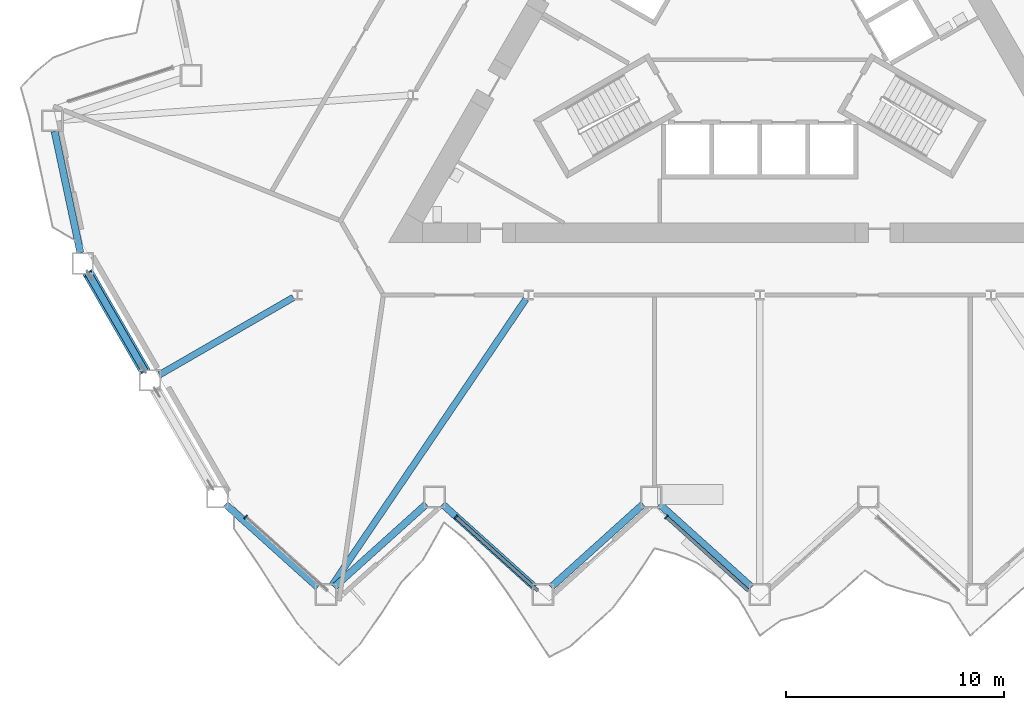
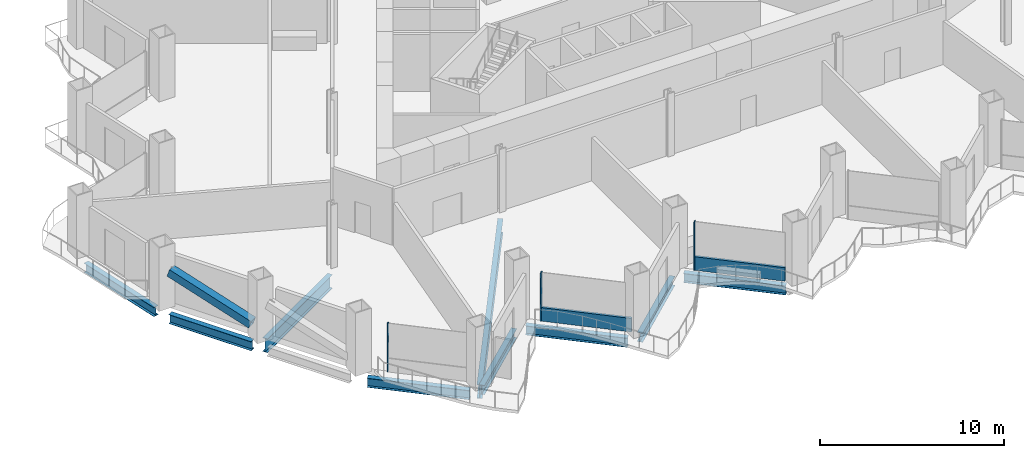
# One storey, part 2 of 20: 9 beams, 6 members, 3 elements without a shape of their own.
"""IFC4 building model written with IfcOpenShell, lengths in metres."""

import ifcopenshell
import ifcopenshell.guid

model = None  # the IFC model being written
_history = None  # IfcOwnerHistory: only IFC2X3 demands one
_inside = {}  # id of a spatial element -> (the spatial element, [elements in it])
_under = {}  # id of a project, library or spatial element -> (it, [spatial elements below it])
_declared = {}  # id of a project -> (the project, [libraries it declares])
_typed = {}  # id of a type object -> (the type object, [elements of that type])
_made_of = {}  # id of a material, layer set ... -> (it, [elements and type objects made of it])


def new_model(schema):
    """Start an empty IFC model of exactly this schema.

    Asked for "IFC4X3", IfcOpenShell would pick the latest addendum, in which some entities
    have other attributes; the version numbers below select the first issue.
    IFC2X3 requires an IfcOwnerHistory on every rooted entity: one is made here for all.
    """
    global model, _history
    if schema == "IFC4X3":
        model = ifcopenshell.file(schema_version=(4, 3, 0, 0))
    else:
        model = ifcopenshell.file(schema=schema)
    _inside.clear()
    _under.clear()
    _declared.clear()
    _typed.clear()
    _made_of.clear()
    _history = None
    if model.schema == "IFC2X3":
        org = make("IfcOrganization", Name="unknown")
        user = make(
            "IfcPersonAndOrganization",
            ThePerson=make("IfcPerson", FamilyName="unknown"),
            TheOrganization=org,
        )
        app = make(
            "IfcApplication",
            ApplicationDeveloper=org,
            Version="unknown",
            ApplicationFullName="unknown",
            ApplicationIdentifier="unknown",
        )
        _history = make(
            "IfcOwnerHistory",
            OwningUser=user,
            OwningApplication=app,
            ChangeAction="ADDED",
            CreationDate=0,
        )
    return model


def make(cls, **values):
    """One entity of the class cls with the attributes given. An attribute that is None is left unset."""
    return model.create_entity(
        cls, **{name: value for name, value in values.items() if value is not None}
    )


def rooted(cls, **values):
    """An entity with a GlobalId (a new one), such as an element, a storey or a relation."""
    return make(cls, GlobalId=ifcopenshell.guid.new(), OwnerHistory=_history, **values)


def si_unit(unit_type, name, prefix=None):
    """IfcSIUnit, for example si_unit("LENGTHUNIT", "METRE", prefix="MILLI")."""
    return make("IfcSIUnit", UnitType=unit_type, Prefix=prefix, Name=name)


def assignment(units):
    """IfcUnitAssignment: the units of a project."""
    return None if units is None else make("IfcUnitAssignment", Units=units)


def point(xyz):
    """IfcCartesianPoint."""
    return None if xyz is None else make("IfcCartesianPoint", Coordinates=xyz)


def direction(xyz):
    """IfcDirection."""
    return None if xyz is None else make("IfcDirection", DirectionRatios=xyz)


def frame(location, z_axis=None, x_axis=None):
    """IfcAxis2Placement3D, a coordinate frame: its origin and axes. An axis left out is left unset."""
    return make(
        "IfcAxis2Placement3D",
        Location=point(location),
        Axis=direction(z_axis),
        RefDirection=direction(x_axis),
    )


def frame_2d(location, x_axis=None):
    """IfcAxis2Placement2D, a coordinate frame in the plane: its origin and x axis."""
    return make(
        "IfcAxis2Placement2D", Location=point(location), RefDirection=direction(x_axis)
    )


def origin():
    """The frame at (0, 0, 0) with its axes left unset."""
    return frame((0.0, 0.0, 0.0))


def origin_2d():
    """The frame at (0, 0) in the plane with its x axis left unset."""
    return frame_2d((0.0, 0.0))


def place(relative_to, where):
    """IfcLocalPlacement: puts the frame where relative to a parent placement (None: the world)."""
    return make(
        "IfcLocalPlacement", PlacementRelTo=relative_to, RelativePlacement=where
    )


def context(
    kind, dimensions, precision=None, world=None, true_north=None, identifier=None
):
    """IfcGeometricRepresentationContext, for example the 3D "Model" context."""
    return make(
        "IfcGeometricRepresentationContext",
        ContextIdentifier=identifier,
        ContextType=kind,
        CoordinateSpaceDimension=dimensions,
        Precision=precision,
        WorldCoordinateSystem=world,
        TrueNorth=true_north,
    )


def subcontext(parent, identifier, kind, view, scale=None):
    """IfcGeometricRepresentationSubContext, for example "Body" below "Model"."""
    return make(
        "IfcGeometricRepresentationSubContext",
        ContextIdentifier=identifier,
        ContextType=kind,
        ParentContext=parent,
        TargetScale=scale,
        TargetView=view,
    )


def project(units=None, contexts=None):
    """IfcProject with its units and contexts."""
    return rooted(
        "IfcProject",
        Name="project",
        RepresentationContexts=contexts,
        UnitsInContext=assignment(units),
    )


def spatial(cls, under=None, at=None, **own):
    """A site, building, storey or space (cls), placed at a placement, below another one or the project."""
    s = rooted(cls, ObjectPlacement=at, **own)
    if under is not None:
        _under.setdefault(under.id(), (under, []))[1].append(s)
    return s


def profile(cls, at=None, kind="AREA", **sizes):
    """A parametric profile (cls). Its sizes go by their IFC names, for example OverallWidth=200.0."""
    return make(cls, ProfileType=kind, Position=at, **sizes)


def rectangle(**sizes):
    """IfcRectangleProfileDef."""
    return profile("IfcRectangleProfileDef", **sizes)


def hollow_rectangle(**sizes):
    """IfcRectangleHollowProfileDef."""
    return profile("IfcRectangleHollowProfileDef", **sizes)


def i_section(**sizes):
    """IfcIShapeProfileDef."""
    return profile("IfcIShapeProfileDef", **sizes)


def extrude(swept, where, along, depth):
    """IfcExtrudedAreaSolid: the profile swept, set in the frame where, extruded along a direction by depth."""
    return make(
        "IfcExtrudedAreaSolid",
        SweptArea=swept,
        Position=where,
        ExtrudedDirection=direction(along),
        Depth=depth,
    )


def shape(context_of_items, identifier, shape_type, items):
    """IfcShapeRepresentation: the items that make up one representation, for example the "Body"."""
    return make(
        "IfcShapeRepresentation",
        ContextOfItems=context_of_items,
        RepresentationIdentifier=identifier,
        RepresentationType=shape_type,
        Items=items,
    )


def material(Name=None, Category=None):
    """IfcMaterial."""
    return make("IfcMaterial", Name=Name, Category=Category)


def layer(
    of_material, thickness, ventilated=None, Name=None, Category=None, Priority=None
):
    """IfcMaterialLayer: one layer of a wall or slab, of a material (None: an air gap)."""
    return make(
        "IfcMaterialLayer",
        Material=of_material,
        LayerThickness=thickness,
        IsVentilated=ventilated,
        Name=Name,
        Category=Category,
        Priority=Priority,
    )


def layer_set(layers, Name=None):
    """IfcMaterialLayerSet."""
    return make("IfcMaterialLayerSet", MaterialLayers=layers, LayerSetName=Name)


def material_profile(
    of_material, cross_section, Name=None, Category=None, Priority=None
):
    """IfcMaterialProfile: a cross section and its material."""
    return make(
        "IfcMaterialProfile",
        Name=Name,
        Material=of_material,
        Profile=cross_section,
        Priority=Priority,
        Category=Category,
    )


def profile_set(profiles, Name=None, composite=None):
    """IfcMaterialProfileSet."""
    return make(
        "IfcMaterialProfileSet",
        Name=Name,
        MaterialProfiles=profiles,
        CompositeProfile=composite,
    )


def made_of(thing, what):
    """Note that an element or type object is made of a material, layer set ...; save() writes the relation."""
    if what is not None:
        _made_of.setdefault(what.id(), (what, []))[1].append(thing)
    return thing


def type_object(cls, material=None, **own):
    """A type object (cls), such as IfcWallType, which elements share."""
    return made_of(rooted(cls, **own), material)


def element(
    cls,
    number,
    at=None,
    inside=None,
    cuts=None,
    type_object=None,
    material=None,
    context=None,
    identifier="Body",
    shape_type=None,
    held_by="IfcProductDefinitionShape",
    body=None,
    shapes=None,
    **own,
):
    """One element of the class cls, such as IfcWall. Its Tag is "e" and its number.

    at: its placement. inside: the storey or other place that contains it. cuts: it is an
    opening in that element (IfcRelVoidsElement). A single representation is given by context,
    identifier, shape_type and body (its items); several are given by shapes. held_by: the class
    of the entity that holds the representations. save() writes the other relations.
    """
    e = rooted(cls, Tag="e%d" % number, ObjectPlacement=at, **own)
    if body is not None:
        shapes = [shape(context, identifier, shape_type, body)]
    if shapes is not None:
        e.Representation = make(held_by, Representations=shapes)
    if inside is not None:
        _inside.setdefault(inside.id(), (inside, []))[1].append(e)
    if cuts is not None:
        rooted(
            "IfcRelVoidsElement", RelatingBuildingElement=cuts, RelatedOpeningElement=e
        )
    if type_object is not None:
        _typed.setdefault(type_object.id(), (type_object, []))[1].append(e)
    return made_of(e, material)


def aggregate(whole, parts):
    """IfcRelAggregates: a whole, such as a stair, and the parts it consists of."""
    return rooted("IfcRelAggregates", RelatingObject=whole, RelatedObjects=parts)


def save(model, path):
    """Write the relations noted so far, then the file.

    IfcRelAggregates (storeys below a building ...), IfcRelContainedInSpatialStructure (elements
    in a storey), IfcRelDefinesByType, IfcRelAssociatesMaterial and IfcRelDeclares: one each for
    every whole, place, type object, material and project.
    """
    for whole, parts in _under.values():
        aggregate(whole, parts)
    for where, things in _inside.values():
        rooted(
            "IfcRelContainedInSpatialStructure",
            RelatedElements=things,
            RelatingStructure=where,
        )
    for kind, things in _typed.values():
        rooted("IfcRelDefinesByType", RelatedObjects=things, RelatingType=kind)
    for what, things in _made_of.values():
        rooted("IfcRelAssociatesMaterial", RelatedObjects=things, RelatingMaterial=what)
    for by, libraries in _declared.values():
        rooted("IfcRelDeclares", RelatingContext=by, RelatedDefinitions=libraries)
    model.write(path)


model = new_model("IFC4")

# Units and contexts
model_context = context("Model", 3, precision=1e-05, world=origin(), true_north=direction((0.0, 1.0)))
body_context = subcontext(model_context, "Body", "Model", "MODEL_VIEW")
ifc_project = project(units=[si_unit("LENGTHUNIT", "METRE"), si_unit("AREAUNIT", "SQUARE_METRE"), si_unit("VOLUMEUNIT", "CUBIC_METRE"), si_unit("PLANEANGLEUNIT", "RADIAN"), si_unit("MASSUNIT", "GRAM", prefix="KILO")], contexts=[model_context])

# Site, building, storey
site_placement = place(None, origin())
site = spatial("IfcSite", under=ifc_project, at=site_placement, CompositionType="ELEMENT")
building_placement = place(site_placement, origin())
building = spatial("IfcBuilding", under=site, at=building_placement, Name="Cormorant Prow Tower", CompositionType="ELEMENT")
storey_placement = place(building_placement, frame((0.0, 0.0, 34.199951171875)))
storey = spatial("IfcBuildingStorey", under=building, at=storey_placement, Name="L06", CompositionType="ELEMENT", Elevation=34.199951171875)

# Member
ifc_material_1 = material(Name="Structural steel ASTM A500 Gr C", Category="steel")
ifc_material_profile_1 = material_profile(ifc_material_1, hollow_rectangle(XDim=0.508056640625, YDim=0.508056640625, WallThickness=0.014892578125, at=origin_2d()), Name="HSS20x20x5/8")
ifc_profile_set_1 = profile_set([ifc_material_profile_1], Name="Structural steel ASTM A500 Gr C")
member_type_1 = type_object("IfcMemberType", Name="Chamfer brace HSS20x20x5/8", PredefinedType="BRACE", material=ifc_profile_set_1)
member_1_placement = place(storey_placement, frame((-28.174560546875, -15.667724609375, 0.767333984375), z_axis=(-0.475881936113, 0.824270433724, 0.306781086395), x_axis=(-0.866030326616, -0.499991473309, 0.0)))
element("IfcMember", 1, at=member_1_placement, inside=storey, type_object=member_type_1, Name="Chamfer brace BR1 at WSW00 L06", PredefinedType="BRACE", context=body_context, shape_type="SweptSolid", body=[
    extrude(hollow_rectangle(XDim=0.508056640625, YDim=0.508056640625, WallThickness=0.014892578125, at=origin_2d()), origin(), (0.0, 0.0, 1.0), 5.392333984375),
])

# Curtain wall, member
ifc_material_2 = material(Name="Aluminium 6063-T6", Category="aluminium")
ifc_layer = layer(ifc_material_2, 0.199951171875)
ifc_layer_set = layer_set([ifc_layer], Name="Aluminium 6063-T6")
curtain_wall_type = type_object("IfcCurtainWallType", Name="Office unitised curtain wall 200", PredefinedType="NOTDEFINED", material=ifc_layer_set)
curtain_wall_1_placement = place(storey_placement, origin())
curtain_wall_1 = element("IfcCurtainWall", 2, at=curtain_wall_1_placement, inside=storey, type_object=curtain_wall_type, Name="Office curtain wall S00", PredefinedType="NOTDEFINED")
ifc_material_3 = material(Name="Aluminium 6063-T6", Category="aluminium")
ifc_material_profile_2 = material_profile(ifc_material_3, rectangle(XDim=0.199951171875, YDim=0.06005859375, at=origin_2d()), Name="Office mullion 60x200")
ifc_profile_set_2 = profile_set([ifc_material_profile_2], Name="Aluminium 6063-T6")
member_type_2 = type_object("IfcMemberType", Name="Office mullion 60x200", PredefinedType="MULLION", material=ifc_profile_set_2)
member_2_placement = place(storey_placement, frame((-23.54296875, -22.379150390625, 0.0), z_axis=(0.0, 0.0, 1.0), x_axis=(0.669130597396, 0.743144833547, 0.0)))
member_2 = element("IfcMember", 3, at=member_2_placement, type_object=member_type_2, Name="Office mullion S00", PredefinedType="MULLION", context=body_context, shape_type="SweptSolid", body=[
    extrude(rectangle(XDim=0.199951171875, YDim=0.06005859375, at=origin_2d()), origin(), (0.0, 0.0, 1.0), 3.18896484375),
])
aggregate(curtain_wall_1, [member_2])

curtain_wall_2_placement = place(storey_placement, origin())
curtain_wall_2 = element("IfcCurtainWall", 4, at=curtain_wall_2_placement, inside=storey, type_object=curtain_wall_type, Name="Office curtain wall S02", PredefinedType="NOTDEFINED")
member_3_placement = place(storey_placement, frame((-13.907958984375, -22.379150390625, 0.0), z_axis=(0.0, 0.0, 1.0), x_axis=(0.66913052069, 0.743144902614, 0.0)))
member_3 = element("IfcMember", 5, at=member_3_placement, type_object=member_type_2, Name="Office mullion S02", PredefinedType="MULLION", context=body_context, shape_type="SweptSolid", body=[
    extrude(rectangle(XDim=0.199951171875, YDim=0.06005859375, at=origin_2d()), origin(), (0.0, 0.0, 1.0), 3.18896484375),
])

curtain_wall_3_placement = place(storey_placement, origin())
curtain_wall_3 = element("IfcCurtainWall", 6, at=curtain_wall_3_placement, inside=storey, type_object=curtain_wall_type, Name="Office curtain wall S04", PredefinedType="NOTDEFINED")
member_4_placement = place(storey_placement, frame((-4.27294921875, -22.379150390625, 0.0), z_axis=(0.0, 0.0, 1.0), x_axis=(0.669130597396, 0.743144833547, 0.0)))
member_4 = element("IfcMember", 7, at=member_4_placement, type_object=member_type_2, Name="Office mullion S04", PredefinedType="MULLION", context=body_context, shape_type="SweptSolid", body=[
    extrude(rectangle(XDim=0.199951171875, YDim=0.06005859375, at=origin_2d()), origin(), (0.0, 0.0, 1.0), 3.18896484375),
])

# Member
ifc_material_4 = material(Name="Terracotta", Category="masonry")
ifc_material_profile_3 = material_profile(ifc_material_4, rectangle(XDim=0.159912109375, YDim=0.89990234375, at=origin_2d()), Name="Office terracotta spandrel rail 160x900")
ifc_profile_set_3 = profile_set([ifc_material_profile_3], Name="Terracotta")
member_type_3 = type_object("IfcMemberType", Name="Office terracotta spandrel rail 160x900", PredefinedType="USERDEFINED", material=ifc_profile_set_3)
member_5_placement = place(storey_placement, frame((-13.8857421875, -22.399169921875, 0.449951171875), z_axis=(0.743146523264, -0.66912872077, 0.0), x_axis=(0.66912872077, 0.743146523264, 0.0)))
member_5 = element("IfcMember", 8, at=member_5_placement, type_object=member_type_3, Name="Office spandrel rail S02", ObjectType="TRANSOM", PredefinedType="USERDEFINED", context=body_context, shape_type="SweptSolid", body=[
    extrude(rectangle(XDim=0.159912109375, YDim=0.89990234375, at=origin_2d()), origin(), (0.0, 0.0, 1.0), 5.016845703125),
])

aggregate(curtain_wall_2, [member_3, member_5])

member_6_placement = place(storey_placement, frame((-4.25048828125, -22.399169921875, 0.449951171875), z_axis=(0.743124733633, -0.669152919938, 0.0), x_axis=(0.669152919938, 0.743124733633, 0.0)))
member_6 = element("IfcMember", 9, at=member_6_placement, type_object=member_type_3, Name="Office spandrel rail S04", ObjectType="TRANSOM", PredefinedType="USERDEFINED", context=body_context, shape_type="SweptSolid", body=[
    extrude(rectangle(XDim=0.159912109375, YDim=0.89990234375, at=origin_2d()), origin(), (0.0, 0.0, 1.0), 5.0166015625),
])

aggregate(curtain_wall_3, [member_4, member_6])

# Beams
ifc_material_5 = material(Name="Structural steel ASTM A992 Gr 50", Category="steel")
ifc_material_profile_4 = material_profile(ifc_material_5, i_section(OverallWidth=0.3046875, OverallDepth=0.914794921875, WebThickness=0.0166015625, FlangeThickness=0.02587890625, at=origin_2d()), Name="W36x160")
ifc_profile_set_4 = profile_set([ifc_material_profile_4], Name="Structural steel ASTM A992 Gr 50")
beam_type_1 = type_object("IfcBeamType", Name="Radial floor beam W36x160", PredefinedType="BEAM", material=ifc_profile_set_4)
beam_1_placement = place(storey_placement, frame((-21.358154296875, -12.3310546875, -0.857421875), z_axis=(-0.866014253463, -0.500019312426, 0.0), x_axis=(0.500019312426, -0.866014253463, 0.0)))
element("IfcBeam", 10, at=beam_1_placement, inside=storey, type_object=beam_type_1, Name="Radial floor beam FB1 5 L06", PredefinedType="BEAM", context=body_context, shape_type="SweptSolid", body=[
    extrude(i_section(OverallWidth=0.3046875, OverallDepth=0.914794921875, WebThickness=0.0166015625, FlangeThickness=0.02587890625, at=origin_2d()), origin(), (0.0, 0.0, 1.0), 7.071533203125),
])
beam_2_placement = place(storey_placement, frame((-10.708740234375, -12.4072265625, -0.857421875), z_axis=(-0.560597160775, -0.828088656685, 0.0), x_axis=(0.828088656685, -0.560597160775, 0.0)))
element("IfcBeam", 11, at=beam_2_placement, inside=storey, type_object=beam_type_1, Name="Radial floor beam FB1 6 L06", PredefinedType="BEAM", context=body_context, shape_type="SweptSolid", body=[
    extrude(i_section(OverallWidth=0.3046875, OverallDepth=0.914794921875, WebThickness=0.0166015625, FlangeThickness=0.02587890625, at=origin_2d()), origin(), (0.0, 0.0, 1.0), 15.831787109375),
])
ifc_material_6 = material(Name="Structural steel ASTM A992 Gr 50", Category="steel")
ifc_material_profile_5 = material_profile(ifc_material_6, i_section(OverallWidth=0.32373046875, OverallDepth=0.611083984375, WebThickness=0.0126953125, FlangeThickness=0.01904296875, at=origin_2d()), Name="W24x104")
ifc_profile_set_5 = profile_set([ifc_material_profile_5], Name="Structural steel ASTM A992 Gr 50")
beam_type_2 = type_object("IfcBeamType", Name="Spandrel beam W24x104", PredefinedType="SPANDREL", material=ifc_profile_set_5)
for number, where, z_axis, x_axis, name in (
    (12, (-24.458740234375, -21.79443359375, -0.70556640625), (0.743129630386, -0.669147481833, 0.0), (0.669147481833, 0.743129630386, 0.0), "Spandrel beam SB1 S00-S01 L06"),
    (13, (-19.49267578125, -25.596923828125, -0.70556640625), (0.743129630386, 0.669147481833, 0.0), (-0.669147481833, 0.743129630386, 0.0), "Spandrel beam SB1 S01-S02 L06"),
    (14, (-14.526611328125, -21.79443359375, -0.70556640625), (0.743129630386, -0.669147481833, 0.0), (0.669147481833, 0.743129630386, 0.0), "Spandrel beam SB1 S02-S03 L06"),
    (15, (-9.560546875, -25.596923828125, -0.70556640625), (0.743129630386, 0.669147481833, 0.0), (-0.669147481833, 0.743129630386, 0.0), "Spandrel beam SB1 S03-S04 L06"),
    (16, (-4.594482421875, -21.79443359375, -0.70556640625), (0.743129630386, -0.669147481833, 0.0), (0.669147481833, 0.743129630386, 0.0), "Spandrel beam SB1 S04-S05 L06"),
    (17, (-32.285400390625, -4.726318359375, -0.70556640625), (0.207900376723, -0.97815000555, 0.0), (0.97815000555, 0.207900376723, 0.0), "Spandrel beam SB1 WNW09-WSW00 L06"),
):
    element("IfcBeam", number, at=place(storey_placement, frame(where, z_axis=z_axis, x_axis=x_axis)), inside=storey, type_object=beam_type_2, Name=name, PredefinedType="SPANDREL", context=body_context, shape_type="SweptSolid", body=[
        extrude(i_section(OverallWidth=0.32373046875, OverallDepth=0.611083984375, WebThickness=0.0126953125, FlangeThickness=0.01904296875, at=origin_2d()), origin(), (0.0, 0.0, 1.0), 5.6826171875),
    ])
beam_3_placement = place(storey_placement, frame((-30.75, -11.206787109375, -0.70556640625), z_axis=(0.49998408811, -0.866034590324, 0.0), x_axis=(0.866034590324, 0.49998408811, 0.0)))
element("IfcBeam", 18, at=beam_3_placement, inside=storey, type_object=beam_type_2, Name="Spandrel beam SB1 WSW00-WSW01 L06", PredefinedType="SPANDREL", context=body_context, shape_type="SweptSolid", body=[
    extrude(i_section(OverallWidth=0.32373046875, OverallDepth=0.611083984375, WebThickness=0.0126953125, FlangeThickness=0.01904296875, at=origin_2d()), origin(), (0.0, 0.0, 1.0), 5.169677734375),
])

save(model, "model.ifc")
